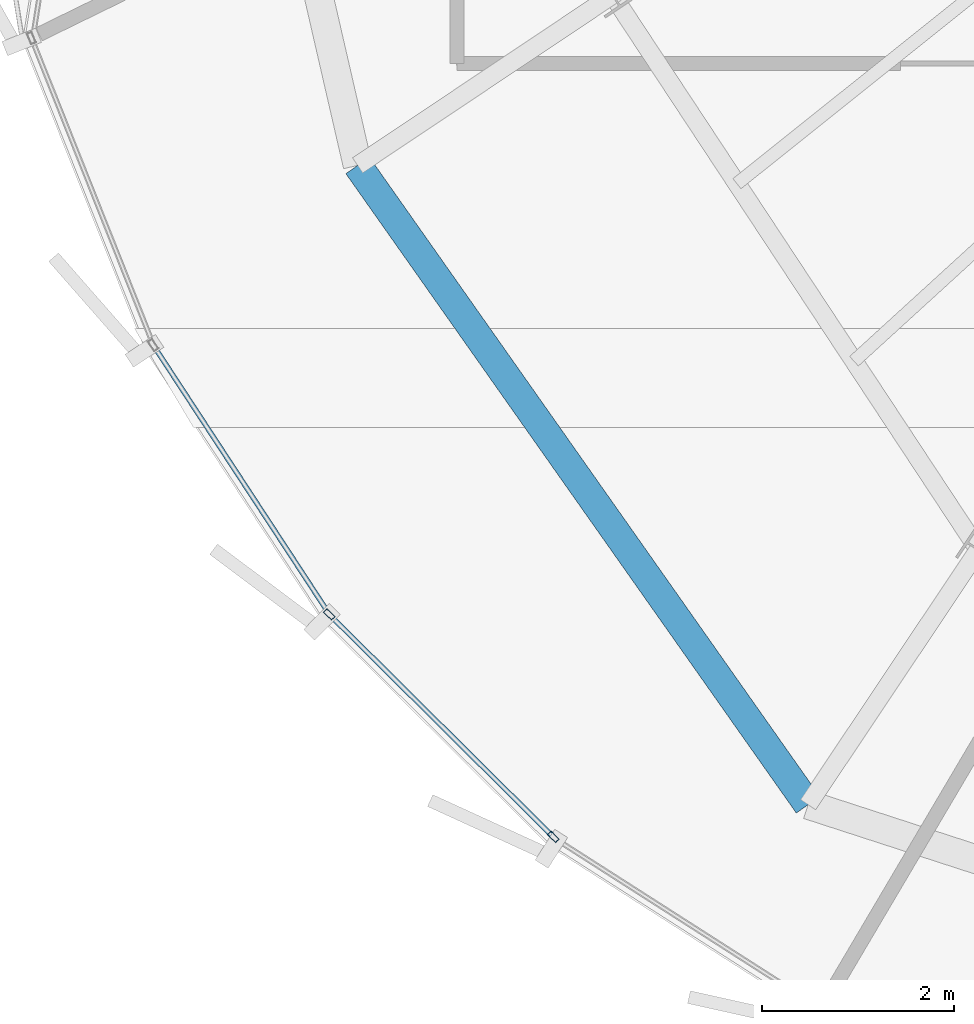
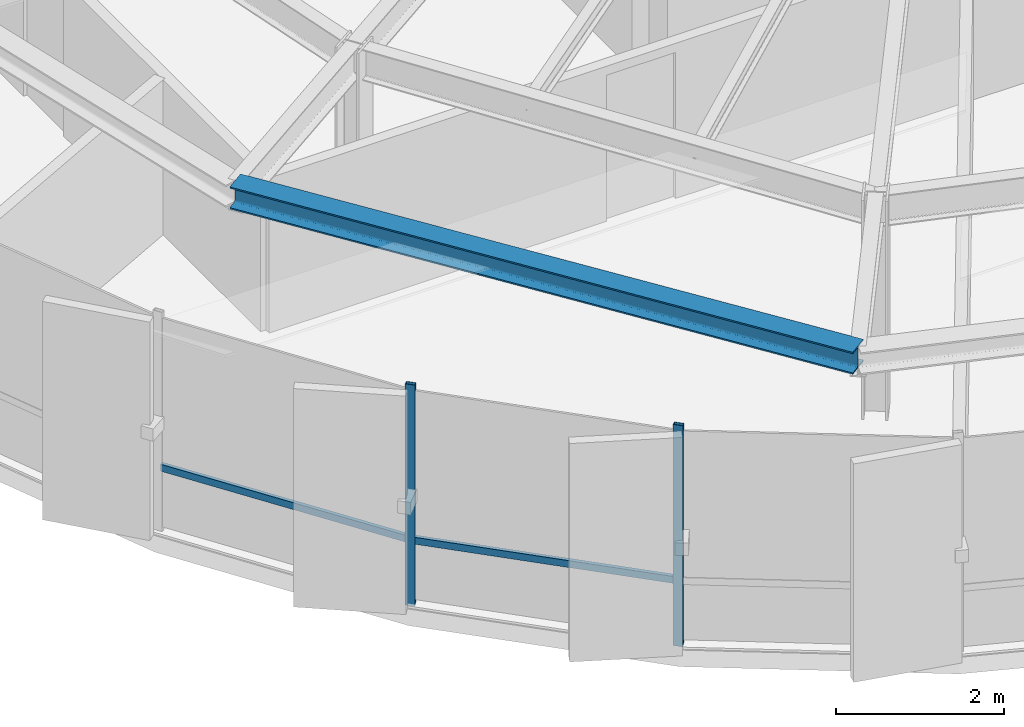
# One storey, part 2 of 36: 4 members, 1 beam, 1 element without a shape of its own.
"""IFC4 building model written with IfcOpenShell, lengths in metres."""

from ifc_helpers import new_model, si_unit, direction, frame, origin, origin_2d, place, context, subcontext, project, spatial, hollow_rectangle, i_section, extrude, source, transform, mapped, material, layer, layer_set, material_profile, profile_set, type_object, element, aggregate, save


model = new_model("IFC4")

# Units and contexts
model_context = context("Model", 3, precision=1e-05, world=origin(), true_north=direction((0.0, 1.0)))
body_context = subcontext(model_context, "Body", "Model", "MODEL_VIEW")
ifc_project = project(units=[si_unit("LENGTHUNIT", "METRE"), si_unit("AREAUNIT", "SQUARE_METRE"), si_unit("VOLUMEUNIT", "CUBIC_METRE"), si_unit("PLANEANGLEUNIT", "RADIAN"), si_unit("MASSUNIT", "GRAM", prefix="KILO"), si_unit("THERMODYNAMICTEMPERATUREUNIT", "KELVIN")], contexts=[model_context])

# Site, building, storey
site_placement = place(None, origin())
site = spatial("IfcSite", under=ifc_project, at=site_placement, CompositionType="ELEMENT")
building_placement = place(site_placement, origin())
building = spatial("IfcBuilding", under=site, at=building_placement, Name="Kethvar Cultural Tower", CompositionType="ELEMENT")
storey_placement = place(building_placement, frame((0.0, 0.0, 242.199951171875)))
storey = spatial("IfcBuildingStorey", under=building, at=storey_placement, Name="L63", CompositionType="ELEMENT", Elevation=242.199951171875)

# Beam
ifc_material_1 = material(Name="Steel S355J2", Category="steel")
ifc_material_profile_1 = material_profile(ifc_material_1, i_section(OverallWidth=0.300048828125, OverallDepth=0.320068359375, WebThickness=0.011474609375, FlangeThickness=0.0205078125, FilletRadius=0.027099609375, at=origin_2d()), Name="Steel S355J2 — HEB320")
ifc_profile_set_1 = profile_set([ifc_material_profile_1], Name="Steel S355J2 — HEB320")
beam_type = type_object("IfcBeamType", Name="BM-SP320", PredefinedType="SPANDREL", material=ifc_profile_set_1)
shared_shape_1 = source(origin(), body_context, "Body", "SweptSolid", [
    extrude(i_section(OverallWidth=0.300048828125, OverallDepth=0.320068359375, WebThickness=0.011474609375, FlangeThickness=0.0205078125, FilletRadius=0.027099609375, at=origin_2d()), origin(), (0.0, 0.0, 1.0), 8.16259765625),
])
beam_placement = place(storey_placement, frame((30.252197265625, 16.7431640625, 3.048095703125), z_axis=(0.575940812748, -0.817491394579, 0.0), x_axis=(0.817491394579, 0.575940812748, 0.0)))
element("IfcBeam", 1, at=beam_placement, inside=storey, type_object=beam_type, Name="L63 Perimeter Spandrel Beam SP-10", PredefinedType="SPANDREL", context=body_context, shape_type="MappedRepresentation", body=[
    mapped(shared_shape_1, transform((0.0, 0.0, 0.0), scale=1.0)),
])

# Curtain wall, members
ifc_material_2 = material(Name="Aluminium 6063-T6", Category="aluminium")
ifc_layer = layer(ifc_material_2, 0.179931640625, Name="Aluminium 6063-T6", Category="aluminium")
ifc_layer_set = layer_set([ifc_layer], Name="Aluminium 6063-T6 (180 mm)")
curtain_wall_type = type_object("IfcCurtainWallType", Name="CW-SYS-05-Z56", PredefinedType="NOTDEFINED", material=ifc_layer_set)
curtain_wall_placement = place(storey_placement, origin())
curtain_wall = element("IfcCurtainWall", 2, at=curtain_wall_placement, inside=storey, type_object=curtain_wall_type, Name="L63 Curtain Wall Run 03", PredefinedType="NOTDEFINED")
ifc_material_profile_2 = material_profile(ifc_material_2, hollow_rectangle(XDim=0.054931640625, YDim=0.1201171875, WallThickness=0.00390625, at=origin_2d()), Name="Aluminium 6063-T6 — RHS120x55x4")
ifc_profile_set_2 = profile_set([ifc_material_profile_2], Name="Aluminium 6063-T6 — RHS120x55x4")
member_type_1 = type_object("IfcMemberType", Name="CW-SYS-05-Z56-MUL", PredefinedType="MULLION", material=ifc_profile_set_2)
shared_shape_2 = source(origin(), body_context, "Body", "SweptSolid", [
    extrude(hollow_rectangle(XDim=0.054931640625, YDim=0.1201171875, WallThickness=0.00390625, at=origin_2d()), origin(), (0.0, 0.0, 1.0), 3.2099609375),
])
member_1_placement = place(storey_placement, frame((29.9560546875, 12.056640625, 0.0), z_axis=(0.0, 0.0, 1.0), x_axis=(0.70452274216, 0.709681411465, 0.0)))
member_1 = element("IfcMember", 3, at=member_1_placement, type_object=member_type_1, Name="CW-L63-R03 Mullion 6", PredefinedType="MULLION", context=body_context, shape_type="MappedRepresentation", body=[
    mapped(shared_shape_2, transform((0.0, 0.0, 0.0), scale=1.0)),
])
member_2_placement = place(storey_placement, frame((32.294921875, 9.734619140625, 0.0), z_axis=(0.0, 0.0, 1.0), x_axis=(0.70452274216, 0.709681411465, 0.0)))
member_2 = element("IfcMember", 4, at=member_2_placement, type_object=member_type_1, Name="CW-L63-R03 Mullion 7", PredefinedType="MULLION", context=body_context, shape_type="MappedRepresentation", body=[
    mapped(shared_shape_2, transform((0.0, 0.0, 0.0), scale=1.0)),
])
ifc_material_profile_3 = material_profile(ifc_material_2, hollow_rectangle(XDim=0.050048828125, YDim=0.10009765625, WallThickness=0.00390625, at=origin_2d()), Name="Aluminium 6063-T6 — RHS100x50x4")
ifc_profile_set_3 = profile_set([ifc_material_profile_3], Name="Aluminium 6063-T6 — RHS100x50x4")
member_type_2 = type_object("IfcMemberType", Name="CW-SYS-05-Z56-TRN", PredefinedType="USERDEFINED", material=ifc_profile_set_3)
shared_shape_3 = source(origin(), body_context, "Body", "SweptSolid", [
    extrude(hollow_rectangle(XDim=0.050048828125, YDim=0.10009765625, WallThickness=0.00390625, at=origin_2d()), origin(), (0.0, 0.0, 1.0), 3.300048828125),
])
member_3_placement = place(storey_placement, frame((28.140625, 14.8349609375, 0.949951171875), z_axis=(0.547526394058, -0.836788412808, 0.0), x_axis=(0.836788412808, 0.547526394058, 0.0)))
member_3 = element("IfcMember", 5, at=member_3_placement, type_object=member_type_2, Name="CW-L63-R03 Transom 5", ObjectType="TRANSOM", PredefinedType="USERDEFINED", context=body_context, shape_type="MappedRepresentation", body=[
    mapped(shared_shape_3, transform((0.0, 0.0, 0.0), scale=1.0)),
])
shared_shape_4 = source(origin(), body_context, "Body", "SweptSolid", [
    extrude(hollow_rectangle(XDim=0.050048828125, YDim=0.10009765625, WallThickness=0.00390625, at=origin_2d()), origin(), (0.0, 0.0, 1.0), 3.25244140625),
])
member_4_placement = place(storey_placement, frame((29.984130859375, 12.02880859375, 0.949951171875), z_axis=(0.709654348825, -0.704550001912, 0.0), x_axis=(0.704550001912, 0.709654348825, 0.0)))
member_4 = element("IfcMember", 6, at=member_4_placement, type_object=member_type_2, Name="CW-L63-R03 Transom 6", ObjectType="TRANSOM", PredefinedType="USERDEFINED", context=body_context, shape_type="MappedRepresentation", body=[
    mapped(shared_shape_4, transform((0.0, 0.0, 0.0), scale=1.0)),
])
aggregate(curtain_wall, [member_1, member_2, member_3, member_4])

save(model, "model.ifc")
